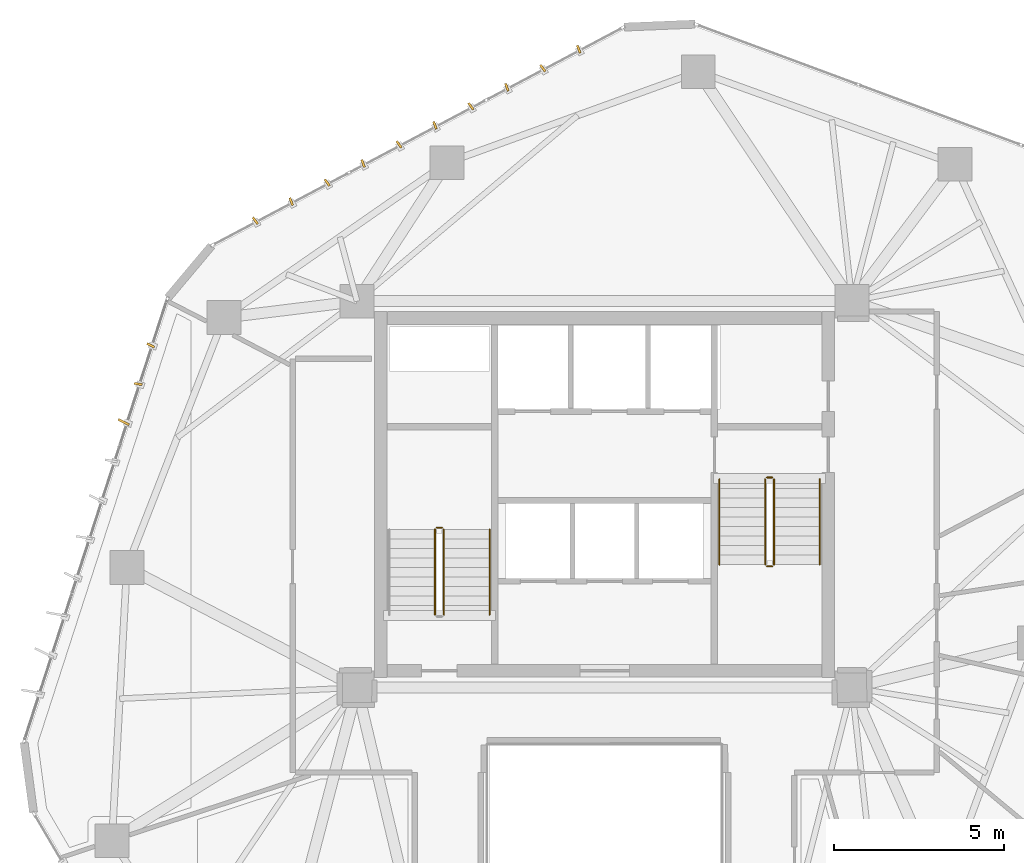
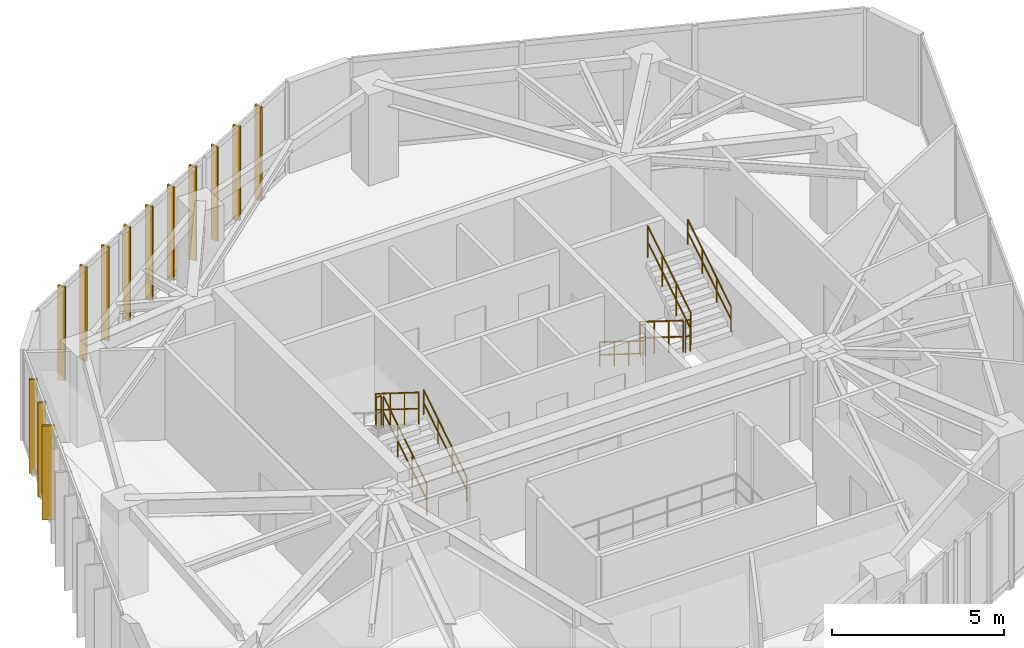
# One storey, part 19 of 19: 13 shading devices, 10 railings.
"""IFC4 building model written with IfcOpenShell, lengths in metres."""

from ifc_helpers import new_model, si_unit, direction, frame, origin, origin_2d, place, context, subcontext, project, spatial, rectangle, circle, extrude, source, transform, mapped, material, layer, layer_set, type_object, type_shapes, element, save


model = new_model("IFC4")

# Units and contexts
model_context = context("Model", 3, precision=1e-05, world=origin(), true_north=direction((0.0, 1.0)))
body_context = subcontext(model_context, "Body", "Model", "MODEL_VIEW")
ifc_project = project(units=[si_unit("LENGTHUNIT", "METRE"), si_unit("AREAUNIT", "SQUARE_METRE"), si_unit("VOLUMEUNIT", "CUBIC_METRE"), si_unit("PLANEANGLEUNIT", "RADIAN"), si_unit("MASSUNIT", "GRAM", prefix="KILO")], contexts=[model_context])

# Site, building, storey
site_placement = place(None, origin())
site = spatial("IfcSite", under=ifc_project, at=site_placement, CompositionType="ELEMENT")
building_placement = place(site_placement, origin())
building = spatial("IfcBuilding", under=site, at=building_placement, Name="Talar Marvaseh", CompositionType="ELEMENT")
storey_placement = place(building_placement, frame((0.0, 0.0, 174.0)))
storey = spatial("IfcBuildingStorey", under=building, at=storey_placement, Name="L45", CompositionType="ELEMENT", Elevation=174.0)

# Railings
ifc_material_1 = material(Name="Stainless Steel Grade 316", Category="steel")
railing_type_1 = type_object("IfcRailingType", Name="Brushed Stainless Wall Pitch Handrail 900", PredefinedType="HANDRAIL", material=ifc_material_1)
railing_1_placement = place(storey_placement, frame((22.610107421875, 27.64990234375, 0.175048828125)))
element("IfcRailing", 1, at=railing_1_placement, inside=storey, type_object=railing_type_1, Name="L45 ST-1 stair handrail 1", PredefinedType="HANDRAIL", context=body_context, shape_type="SweptSolid", body=[
    extrude(circle(Radius=0.02392578125, at=origin_2d()), frame((0.0, 0.0, 0.8759765625), z_axis=(0.0, 0.848007534815, 0.529984170421), x_axis=(-1.0, 0.0, 0.0)), (0.0, 0.0, 1.0), 2.9716796875),
    extrude(circle(Radius=0.02392578125, at=origin_2d()), frame((0.0, 0.0, 0.42578125), z_axis=(0.0, 0.848007534815, 0.529984170421), x_axis=(-1.0, 0.0, 0.0)), (0.0, 0.0, 1.0), 2.9716796875),
    extrude(circle(Radius=0.02099609375, at=origin_2d()), origin(), (0.0, 0.0, 1.0), 0.851806640625),
    extrude(circle(Radius=0.02099609375, at=origin_2d()), frame((0.0, 0.840087890625, 0.52490234375)), (0.0, 0.0, 1.0), 0.851806640625),
    extrude(circle(Radius=0.02099609375, at=origin_2d()), frame((0.0, 1.679931640625, 1.050048828125)), (0.0, 0.0, 1.0), 0.851806640625),
    extrude(circle(Radius=0.02099609375, at=origin_2d()), frame((0.0, 2.52001953125, 1.574951171875)), (0.0, 0.0, 1.0), 0.851806640625),
])
railing_2_placement = place(storey_placement, frame((29.389892578125, 31.64990234375, 0.175048828125)))
element("IfcRailing", 2, at=railing_2_placement, inside=storey, type_object=railing_type_1, Name="L45 ST-2 stair handrail 1", PredefinedType="HANDRAIL", context=body_context, shape_type="SweptSolid", body=[
    extrude(circle(Radius=0.02392578125, at=origin_2d()), frame((0.0, 0.0, 0.8759765625), z_axis=(0.0, -0.848007534815, 0.529984170421), x_axis=(1.0, 0.0, 0.0)), (0.0, 0.0, 1.0), 2.9716796875),
    extrude(circle(Radius=0.02392578125, at=origin_2d()), frame((0.0, 0.0, 0.42578125), z_axis=(0.0, -0.848007534815, 0.529984170421), x_axis=(1.0, 0.0, 0.0)), (0.0, 0.0, 1.0), 2.9716796875),
    extrude(circle(Radius=0.02099609375, at=origin_2d()), origin(), (0.0, 0.0, 1.0), 0.851806640625),
    extrude(circle(Radius=0.02099609375, at=origin_2d()), frame((0.0, -0.840087890625, 0.52490234375)), (0.0, 0.0, 1.0), 0.851806640625),
    extrude(circle(Radius=0.02099609375, at=origin_2d()), frame((0.0, -1.679931640625, 1.050048828125)), (0.0, 0.0, 1.0), 0.851806640625),
    extrude(circle(Radius=0.02099609375, at=origin_2d()), frame((0.0, -2.52001953125, 1.574951171875)), (0.0, 0.0, 1.0), 0.851806640625),
])
railing_3_placement = place(storey_placement, frame((32.35009765625, 29.1298828125, 1.925048828125)))
element("IfcRailing", 3, at=railing_3_placement, inside=storey, type_object=railing_type_1, Name="L45 ST-2 stair handrail 2", PredefinedType="HANDRAIL", context=body_context, shape_type="SweptSolid", body=[
    extrude(circle(Radius=0.02392578125, at=origin_2d()), frame((0.0, 0.0, 0.8759765625), z_axis=(0.0, 0.848007534815, 0.529984170421), x_axis=(-1.0, 0.0, 0.0)), (0.0, 0.0, 1.0), 2.9716796875),
    extrude(circle(Radius=0.02392578125, at=origin_2d()), frame((0.0, 0.0, 0.42578125), z_axis=(0.0, 0.848007534815, 0.529984170421), x_axis=(-1.0, 0.0, 0.0)), (0.0, 0.0, 1.0), 2.9716796875),
    extrude(circle(Radius=0.02099609375, at=origin_2d()), origin(), (0.0, 0.0, 1.0), 0.851806640625),
    extrude(circle(Radius=0.02099609375, at=origin_2d()), frame((0.0, 0.840087890625, 0.52490234375)), (0.0, 0.0, 1.0), 0.851806640625),
    extrude(circle(Radius=0.02099609375, at=origin_2d()), frame((0.0, 1.679931640625, 1.050048828125)), (0.0, 0.0, 1.0), 0.851806640625),
    extrude(circle(Radius=0.02099609375, at=origin_2d()), frame((0.0, 2.52001953125, 1.574951171875)), (0.0, 0.0, 1.0), 0.851806640625),
])
railing_type_2 = type_object("IfcRailingType", Name="Painted Steel Core Stair Well Guardrail 1150", PredefinedType="GUARDRAIL", material=ifc_material_1)
railing_4_placement = place(storey_placement, frame((21.260009765625, 27.64990234375, 0.175048828125)))
element("IfcRailing", 4, at=railing_4_placement, inside=storey, type_object=railing_type_2, Name="L45 ST-1 stair guard 1", PredefinedType="GUARDRAIL", context=body_context, shape_type="SweptSolid", body=[
    extrude(circle(Radius=0.02392578125, at=origin_2d()), frame((0.0, 0.0, 1.1259765625), z_axis=(0.0, 0.848007534815, 0.529984170421), x_axis=(-1.0, 0.0, 0.0)), (0.0, 0.0, 1.0), 2.9716796875),
    extrude(circle(Radius=0.02392578125, at=origin_2d()), frame((0.0, 0.0, 0.55078125), z_axis=(0.0, 0.848007534815, 0.529984170421), x_axis=(-1.0, 0.0, 0.0)), (0.0, 0.0, 1.0), 2.9716796875),
    extrude(circle(Radius=0.02099609375, at=origin_2d()), origin(), (0.0, 0.0, 1.0), 1.101806640625),
    extrude(circle(Radius=0.02099609375, at=origin_2d()), frame((0.0, 0.840087890625, 0.52490234375)), (0.0, 0.0, 1.0), 1.101806640625),
    extrude(circle(Radius=0.02099609375, at=origin_2d()), frame((0.0, 1.679931640625, 1.050048828125)), (0.0, 0.0, 1.0), 1.101806640625),
    extrude(circle(Radius=0.02099609375, at=origin_2d()), frame((0.0, 2.52001953125, 1.574951171875)), (0.0, 0.0, 1.0), 1.101806640625),
])
railing_5_placement = place(storey_placement, frame((21.2099609375, 30.219970703125, 1.75)))
element("IfcRailing", 5, at=railing_5_placement, inside=storey, type_object=railing_type_2, Name="L45 ST-1 stair guard 2", PredefinedType="GUARDRAIL", context=body_context, shape_type="SweptSolid", body=[
    extrude(circle(Radius=0.02392578125, at=origin_2d()), frame((0.0, 0.0, 1.1259765625), z_axis=(-1.0, 0.0, 0.0), x_axis=(0.0, -1.0, 0.0)), (0.0, 0.0, 1.0), 0.159912109375),
    extrude(circle(Radius=0.02392578125, at=origin_2d()), frame((0.0, 0.0, 0.55078125), z_axis=(-1.0, 0.0, 0.0), x_axis=(0.0, -1.0, 0.0)), (0.0, 0.0, 1.0), 0.159912109375),
    extrude(circle(Radius=0.02099609375, at=origin_2d()), origin(), (0.0, 0.0, 1.0), 1.101806640625),
    extrude(circle(Radius=0.02099609375, at=origin_2d()), frame((-0.159912109375, 0.0, 0.0)), (0.0, 0.0, 1.0), 1.101806640625),
])
for number, where, name in (
    (6, (21.0, 30.169921875, 1.925048828125), "L45 ST-1 stair guard 3"),
    (7, (30.739990234375, 31.64990234375, 0.175048828125), "L45 ST-2 stair guard 1"),
):
    element("IfcRailing", number, at=place(storey_placement, frame(where)), inside=storey, type_object=railing_type_2, Name=name, PredefinedType="GUARDRAIL", context=body_context, shape_type="SweptSolid", body=[
        extrude(circle(Radius=0.02392578125, at=origin_2d()), frame((0.0, 0.0, 1.1259765625), z_axis=(0.0, -0.848007534815, 0.529984170421), x_axis=(1.0, 0.0, 0.0)), (0.0, 0.0, 1.0), 2.9716796875),
        extrude(circle(Radius=0.02392578125, at=origin_2d()), frame((0.0, 0.0, 0.55078125), z_axis=(0.0, -0.848007534815, 0.529984170421), x_axis=(1.0, 0.0, 0.0)), (0.0, 0.0, 1.0), 2.9716796875),
        extrude(circle(Radius=0.02099609375, at=origin_2d()), origin(), (0.0, 0.0, 1.0), 1.101806640625),
        extrude(circle(Radius=0.02099609375, at=origin_2d()), frame((0.0, -0.840087890625, 0.52490234375)), (0.0, 0.0, 1.0), 1.101806640625),
        extrude(circle(Radius=0.02099609375, at=origin_2d()), frame((0.0, -1.679931640625, 1.050048828125)), (0.0, 0.0, 1.0), 1.101806640625),
        extrude(circle(Radius=0.02099609375, at=origin_2d()), frame((0.0, -2.52001953125, 1.574951171875)), (0.0, 0.0, 1.0), 1.101806640625),
    ])
railing_6_placement = place(storey_placement, frame((30.7900390625, 29.080078125, 1.75)))
element("IfcRailing", 8, at=railing_6_placement, inside=storey, type_object=railing_type_2, Name="L45 ST-2 stair guard 2", PredefinedType="GUARDRAIL", context=body_context, shape_type="SweptSolid", body=[
    extrude(circle(Radius=0.02392578125, at=origin_2d()), frame((0.0, 0.0, 1.1259765625), z_axis=(1.0, 0.0, 0.0), x_axis=(0.0, 1.0, 0.0)), (0.0, 0.0, 1.0), 0.159912109375),
    extrude(circle(Radius=0.02392578125, at=origin_2d()), frame((0.0, 0.0, 0.55078125), z_axis=(1.0, 0.0, 0.0), x_axis=(0.0, 1.0, 0.0)), (0.0, 0.0, 1.0), 0.159912109375),
    extrude(circle(Radius=0.02099609375, at=origin_2d()), origin(), (0.0, 0.0, 1.0), 1.101806640625),
    extrude(circle(Radius=0.02099609375, at=origin_2d()), frame((0.159912109375, 0.0, 0.0)), (0.0, 0.0, 1.0), 1.101806640625),
])
railing_7_placement = place(storey_placement, frame((31.0, 29.1298828125, 1.925048828125)))
element("IfcRailing", 9, at=railing_7_placement, inside=storey, type_object=railing_type_2, Name="L45 ST-2 stair guard 3", PredefinedType="GUARDRAIL", context=body_context, shape_type="SweptSolid", body=[
    extrude(circle(Radius=0.02392578125, at=origin_2d()), frame((0.0, 0.0, 1.1259765625), z_axis=(0.0, 0.848007534815, 0.529984170421), x_axis=(-1.0, 0.0, 0.0)), (0.0, 0.0, 1.0), 2.9716796875),
    extrude(circle(Radius=0.02392578125, at=origin_2d()), frame((0.0, 0.0, 0.55078125), z_axis=(0.0, 0.848007534815, 0.529984170421), x_axis=(-1.0, 0.0, 0.0)), (0.0, 0.0, 1.0), 2.9716796875),
    extrude(circle(Radius=0.02099609375, at=origin_2d()), origin(), (0.0, 0.0, 1.0), 1.101806640625),
    extrude(circle(Radius=0.02099609375, at=origin_2d()), frame((0.0, 0.840087890625, 0.52490234375)), (0.0, 0.0, 1.0), 1.101806640625),
    extrude(circle(Radius=0.02099609375, at=origin_2d()), frame((0.0, 1.679931640625, 1.050048828125)), (0.0, 0.0, 1.0), 1.101806640625),
    extrude(circle(Radius=0.02099609375, at=origin_2d()), frame((0.0, 2.52001953125, 1.574951171875)), (0.0, 0.0, 1.0), 1.101806640625),
])
railing_8_placement = place(storey_placement, frame((30.7900390625, 31.699951171875, 0.0)))
element("IfcRailing", 10, at=railing_8_placement, inside=storey, type_object=railing_type_2, Name="L45 ST-2 stair guard 4", PredefinedType="GUARDRAIL", context=body_context, shape_type="SweptSolid", body=[
    extrude(circle(Radius=0.02392578125, at=origin_2d()), frame((0.0, 0.0, 1.1259765625), z_axis=(1.0, 0.0, 0.0), x_axis=(0.0, 1.0, 0.0)), (0.0, 0.0, 1.0), 0.159912109375),
    extrude(circle(Radius=0.02392578125, at=origin_2d()), frame((0.0, 0.0, 0.55078125), z_axis=(1.0, 0.0, 0.0), x_axis=(0.0, 1.0, 0.0)), (0.0, 0.0, 1.0), 0.159912109375),
    extrude(circle(Radius=0.02099609375, at=origin_2d()), origin(), (0.0, 0.0, 1.0), 1.101806640625),
    extrude(circle(Radius=0.02099609375, at=origin_2d()), frame((0.159912109375, 0.0, 0.0)), (0.0, 0.0, 1.0), 1.101806640625),
])

# Shading devices
ifc_material_2 = material(Name="Anodised Champagne Bronze Aluminium", Category="aluminium")
ifc_layer_1 = layer(ifc_material_2, 0.06494140625)
ifc_layer_set_1 = layer_set([ifc_layer_1], Name="Anodised Champagne Bronze Aluminium")
shading_device_type_1 = type_object("IfcShadingDeviceType", Name="Sawtooth Champagne Bronze Vertical Fin 240", PredefinedType="USERDEFINED", material=ifc_layer_set_1)
shared_shape_1 = source(origin(), body_context, "Body", "SweptSolid", [
    extrude(rectangle(XDim=0.239990234375, YDim=0.06494140625, at=origin_2d()), origin(), (0.0, 0.0, 1.0), 3.35009765625),
])
type_shapes(shading_device_type_1, [shared_shape_1])
for number, where, z_axis, x_axis, name in (
    (11, (12.243896484375, 34.458740234375, -0.1201171875), (0.0, 0.0, 1.0), (-0.985019169256, 0.172444878725, 0.0), "L45 Sawtooth Vertical Solar Fin"),
    (12, (12.61328125, 35.6005859375, -0.1201171875), (0.0, 0.0, 1.0), (-0.899328946775, 0.437272735822, 0.0), "L45 Sawtooth Vertical Solar Fin"),
    (13, (15.697998046875, 39.276611328125, -0.1201171875), (0.0, 0.0, 1.0), (-0.586796413149, 0.809734505573, 0.0), "L45 Sawtooth Vertical Solar Fin"),
    (14, (16.75830078125, 39.8388671875, -0.1201171875), (0.0, 0.0, 1.0), (-0.340871837244, 0.94010977581, 0.0), "L45 Sawtooth Vertical Solar Fin"),
    (15, (17.818359375, 40.40087890625, -0.1201171875), (0.0, 0.0, 1.0), (-0.586796413149, 0.809734505573, 0.0), "L45 Sawtooth Vertical Solar Fin"),
    (16, (18.878662109375, 40.962890625, -0.1201171875), (0.0, 0.0, 1.0), (-0.340871837244, 0.94010977581, 0.0), "L45 Sawtooth Vertical Solar Fin"),
    (17, (19.938720703125, 41.525146484375, -0.1201171875), (0.0, 0.0, 1.0), (-0.586796413149, 0.809734505573, 0.0), "L45 Sawtooth Vertical Solar Fin"),
    (18, (20.9990234375, 42.08740234375, -0.1201171875), (0.0, 0.0, 1.0), (-0.340871837244, 0.94010977581, 0.0), "L45 Sawtooth Vertical Solar Fin"),
    (19, (22.05908203125, 42.6494140625, -0.1201171875), (0.0, 0.0, 1.0), (-0.586796413149, 0.809734505573, 0.0), "L45 Sawtooth Vertical Solar Fin"),
    (20, (23.119384765625, 43.21142578125, -0.1201171875), (0.0, 0.0, 1.0), (-0.340871837244, 0.94010977581, 0.0), "L45 Sawtooth Vertical Solar Fin"),
    (21, (24.1796875, 43.773681640625, -0.1201171875), (0.0, 0.0, 1.0), (-0.586796413149, 0.809734505573, 0.0), "L45 Sawtooth Vertical Solar Fin"),
    (22, (25.23974609375, 44.335693359375, -0.1201171875), (0.0, 0.0, 1.0), (-0.340871837244, 0.94010977581, 0.0), "L45 Sawtooth Vertical Solar Fin"),
):
    element("IfcShadingDevice", number, at=place(storey_placement, frame(where, z_axis=z_axis, x_axis=x_axis)), inside=storey, type_object=shading_device_type_1, Name=name, ObjectType="FIN", PredefinedType="USERDEFINED", context=body_context, shape_type="MappedRepresentation", body=[
        mapped(shared_shape_1, transform((0.0, 0.0, 0.0), x_axis=(1.0, 0.0, 0.0), y_axis=(0.0, 1.0, 0.0), z_axis=(0.0, 0.0, 1.0), scale=1.0)),
    ])
ifc_layer_2 = layer(ifc_material_2, 0.06494140625)
ifc_layer_set_2 = layer_set([ifc_layer_2], Name="Anodised Champagne Bronze Aluminium")
shading_device_type_2 = type_object("IfcShadingDeviceType", Name="Sawtooth Champagne Bronze Vertical Fin 360", PredefinedType="USERDEFINED", material=ifc_layer_set_2)
shared_shape_2 = source(origin(), body_context, "Body", "SweptSolid", [
    extrude(rectangle(XDim=0.360107421875, YDim=0.06494140625, at=origin_2d()), origin(), (0.0, 0.0, 1.0), 3.35009765625),
])
type_shapes(shading_device_type_2, [shared_shape_2])
shading_device_placement = place(storey_placement, frame((11.8173828125, 33.33544921875, -0.1201171875), z_axis=(0.0, 0.0, 1.0), x_axis=(-0.899328946775, 0.437272735822, 0.0)))
element("IfcShadingDevice", 23, at=shading_device_placement, inside=storey, type_object=shading_device_type_2, Name="L45 Sawtooth Vertical Solar Fin", ObjectType="FIN", PredefinedType="USERDEFINED", context=body_context, shape_type="MappedRepresentation", body=[
    mapped(shared_shape_2, transform((0.0, 0.0, 0.0), x_axis=(1.0, 0.0, 0.0), y_axis=(0.0, 1.0, 0.0), z_axis=(0.0, 0.0, 1.0), scale=1.0)),
])

save(model, "model.ifc")
